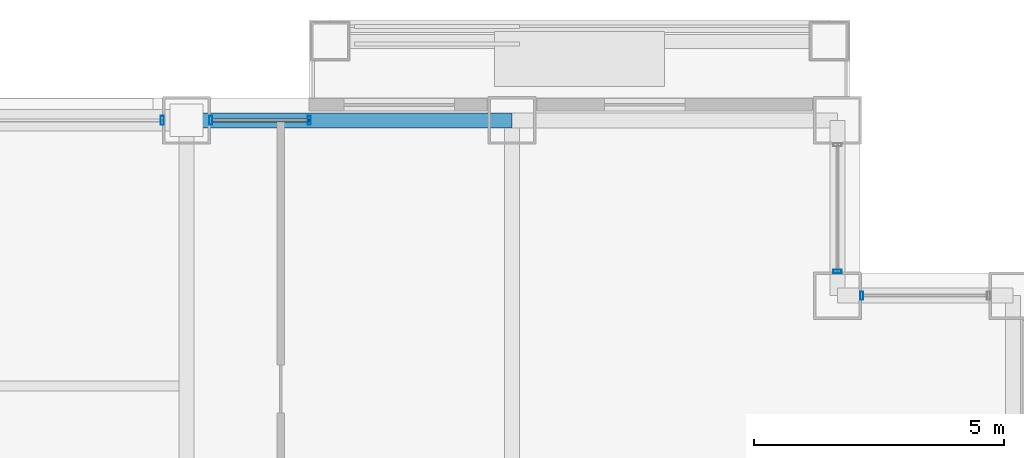
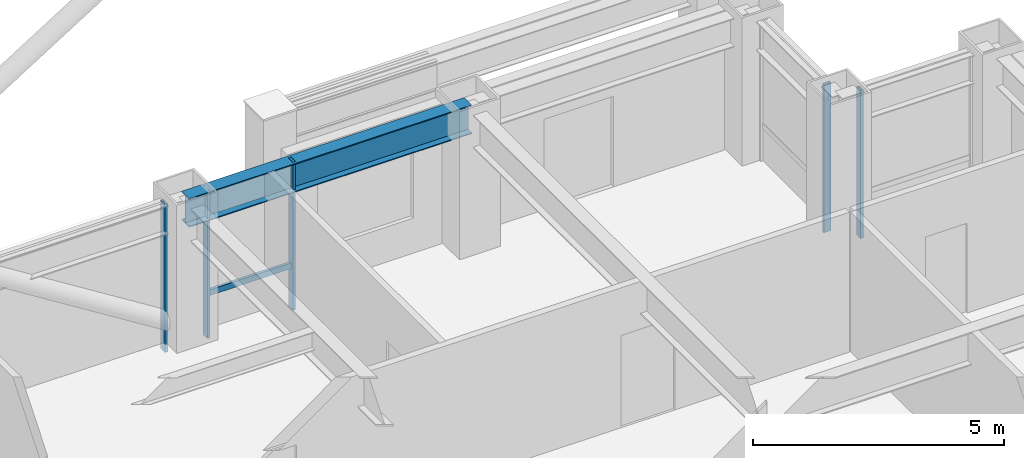
# One storey, part 23 of 34: 6 members, 1 beam, 4 elements without a shape of their own.
"""IFC4 building model written with IfcOpenShell, lengths in metres."""

from ifc_helpers import new_model, si_unit, direction, frame, origin, origin_2d, place, context, subcontext, project, spatial, hollow_rectangle, i_section, extrude, material, layer, layer_set, material_profile, profile_set, type_object, element, aggregate, save


model = new_model("IFC4")

# Units and contexts
model_context = context("Model", 3, precision=1e-05, world=origin(), true_north=direction((0.0, 1.0)))
body_context = subcontext(model_context, "Body", "Model", "MODEL_VIEW")
ifc_project = project(units=[si_unit("LENGTHUNIT", "METRE"), si_unit("AREAUNIT", "SQUARE_METRE"), si_unit("VOLUMEUNIT", "CUBIC_METRE"), si_unit("PLANEANGLEUNIT", "RADIAN"), si_unit("MASSUNIT", "GRAM", prefix="KILO")], contexts=[model_context])

# Site, building, storey
site_placement = place(None, origin())
site = spatial("IfcSite", under=ifc_project, at=site_placement, CompositionType="ELEMENT")
building_placement = place(site_placement, origin())
building = spatial("IfcBuilding", under=site, at=building_placement, Name="Brelmoor Portico Tower", CompositionType="ELEMENT")
storey_placement = place(building_placement, frame((0.0, 0.0, 45.60009765625)))
storey = spatial("IfcBuildingStorey", under=building, at=storey_placement, Name="L11", CompositionType="ELEMENT", Elevation=45.60009765625)

# Beam
ifc_material_1 = material(Name="Steel Q355B", Category="steel")
ifc_material_profile_1 = material_profile(ifc_material_1, i_section(OverallWidth=0.300048828125, OverallDepth=0.699951171875, WebThickness=0.012939453125, FlangeThickness=0.02392578125, at=origin_2d()), Name="HN 700x300x13x24")
ifc_profile_set_1 = profile_set([ifc_material_profile_1], Name="Steel Q355B")
beam_type = type_object("IfcBeamType", Name="BM-SP-700", PredefinedType="SPANDREL", material=ifc_profile_set_1)
beam_placement = place(storey_placement, frame((8.050048828125, 21.550048828125, 3.0498046875), z_axis=(1.0, 0.0, 0.0), x_axis=(0.0, 1.0, 0.0)))
element("IfcBeam", 1, at=beam_placement, inside=storey, type_object=beam_type, Name="L11 Perimeter Spandrel Beam SP-13", PredefinedType="SPANDREL", context=body_context, shape_type="SweptSolid", body=[
    extrude(i_section(OverallWidth=0.300048828125, OverallDepth=0.699951171875, WebThickness=0.012939453125, FlangeThickness=0.02392578125, at=origin_2d()), origin(), (0.0, 0.0, 1.0), 6.5),
])

# Curtain wall, member
ifc_material_2 = material(Name="Anodised Aluminium Alloy 6063-T6", Category="aluminium")
ifc_layer_1 = layer(ifc_material_2, 0.179931640625)
ifc_layer_set_1 = layer_set([ifc_layer_1], Name="Anodised Aluminium Alloy 6063-T6")
curtain_wall_type_1 = type_object("IfcCurtainWallType", Name="CW-NOTCH-CHAMFER", PredefinedType="NOTDEFINED", material=ifc_layer_set_1)
curtain_wall_1_placement = place(storey_placement, origin())
curtain_wall_1 = element("IfcCurtainWall", 2, at=curtain_wall_1_placement, inside=storey, type_object=curtain_wall_type_1, Name="L11 Curtain Wall CWN-L11-NEH", PredefinedType="NOTDEFINED")
ifc_material_profile_2 = material_profile(ifc_material_2, hollow_rectangle(XDim=0.06494140625, YDim=0.1650390625, WallThickness=0.00390625, at=origin_2d()), Name="ALU MULLION 65x165")
ifc_profile_set_2 = profile_set([ifc_material_profile_2], Name="Anodised Aluminium Alloy 6063-T6")
member_type_1 = type_object("IfcMemberType", Name="MB-CW-MULL-165", PredefinedType="MULLION", material=ifc_profile_set_2)
member_1_placement = place(storey_placement, frame((21.534912109375, 18.050048828125, -0.2001953125), z_axis=(0.0, 0.0, 1.0), x_axis=(1.0, 0.0, 0.0)))
member_1 = element("IfcMember", 3, at=member_1_placement, type_object=member_type_1, Name="CWN-L11-NEH Mullion 00", PredefinedType="MULLION", context=body_context, shape_type="SweptSolid", body=[
    extrude(hollow_rectangle(XDim=0.06494140625, YDim=0.1650390625, WallThickness=0.00390625, at=origin_2d()), origin(), (0.0, 0.0, 1.0), 3.60009765625),
])
aggregate(curtain_wall_1, [member_1])

curtain_wall_2_placement = place(storey_placement, origin())
curtain_wall_2 = element("IfcCurtainWall", 4, at=curtain_wall_2_placement, inside=storey, type_object=curtain_wall_type_1, Name="L11 Curtain Wall CWN-L11-NEV", PredefinedType="NOTDEFINED")
member_2_placement = place(storey_placement, frame((21.050048828125, 18.534912109375, -0.2001953125), z_axis=(0.0, 0.0, 1.0), x_axis=(0.0, 1.0, 0.0)))
member_2 = element("IfcMember", 5, at=member_2_placement, type_object=member_type_1, Name="CWN-L11-NEV Mullion 00", PredefinedType="MULLION", context=body_context, shape_type="SweptSolid", body=[
    extrude(hollow_rectangle(XDim=0.06494140625, YDim=0.1650390625, WallThickness=0.00390625, at=origin_2d()), origin(), (0.0, 0.0, 1.0), 3.60009765625),
])
aggregate(curtain_wall_2, [member_2])

ifc_layer_2 = layer(ifc_material_2, 0.179931640625)
ifc_layer_set_2 = layer_set([ifc_layer_2], Name="Anodised Aluminium Alloy 6063-T6")
curtain_wall_type_2 = type_object("IfcCurtainWallType", Name="CW-TOWER-Z1-XB", PredefinedType="NOTDEFINED", material=ifc_layer_set_2)
curtain_wall_3_placement = place(storey_placement, origin())
curtain_wall_3 = element("IfcCurtainWall", 6, at=curtain_wall_3_placement, inside=storey, type_object=curtain_wall_type_2, Name="L11 Curtain Wall CW-L11-2L-3", PredefinedType="NOTDEFINED")
ifc_material_profile_3 = material_profile(ifc_material_2, hollow_rectangle(XDim=0.06494140625, YDim=0.179931640625, WallThickness=0.00390625, at=origin_2d()), Name="ALU MULLION 65x180")
ifc_profile_set_3 = profile_set([ifc_material_profile_3], Name="Anodised Aluminium Alloy 6063-T6")
member_type_2 = type_object("IfcMemberType", Name="MB-CW-MULL-180", PredefinedType="MULLION", material=ifc_profile_set_3)
member_3_placement = place(storey_placement, frame((7.56494140625, 21.550048828125, -0.2001953125), z_axis=(0.0, 0.0, 1.0), x_axis=(1.0, 0.0, 0.0)))
member_3 = element("IfcMember", 7, at=member_3_placement, type_object=member_type_2, Name="CW-L11-2L-3 Mullion 01", PredefinedType="MULLION", context=body_context, shape_type="SweptSolid", body=[
    extrude(hollow_rectangle(XDim=0.06494140625, YDim=0.179931640625, WallThickness=0.00390625, at=origin_2d()), origin(), (0.0, 0.0, 1.0), 3.60009765625),
])
aggregate(curtain_wall_3, [member_3])

# Curtain wall, members
ifc_layer_3 = layer(ifc_material_2, 0.179931640625)
ifc_layer_set_3 = layer_set([ifc_layer_3], Name="Anodised Aluminium Alloy 6063-T6")
curtain_wall_type_3 = type_object("IfcCurtainWallType", Name="CW-TOWER-Z1", PredefinedType="NOTDEFINED", material=ifc_layer_set_3)
curtain_wall_4_placement = place(storey_placement, origin())
curtain_wall_4 = element("IfcCurtainWall", 8, at=curtain_wall_4_placement, inside=storey, type_object=curtain_wall_type_3, Name="L11 Curtain Wall CW-L11-2L-4", PredefinedType="NOTDEFINED")
member_4_placement = place(storey_placement, frame((8.534912109375, 21.550048828125, -0.2001953125), z_axis=(0.0, 0.0, 1.0), x_axis=(1.0, 0.0, 0.0)))
member_4 = element("IfcMember", 9, at=member_4_placement, type_object=member_type_2, Name="CW-L11-2L-4 Mullion 00", PredefinedType="MULLION", context=body_context, shape_type="SweptSolid", body=[
    extrude(hollow_rectangle(XDim=0.06494140625, YDim=0.179931640625, WallThickness=0.00390625, at=origin_2d()), origin(), (0.0, 0.0, 1.0), 3.60009765625),
])
member_5_placement = place(storey_placement, frame((10.5, 21.550048828125, -0.2001953125), z_axis=(0.0, 0.0, 1.0), x_axis=(1.0, 0.0, 0.0)))
member_5 = element("IfcMember", 10, at=member_5_placement, type_object=member_type_2, Name="CW-L11-2L-4 Mullion 01", PredefinedType="MULLION", context=body_context, shape_type="SweptSolid", body=[
    extrude(hollow_rectangle(XDim=0.06494140625, YDim=0.179931640625, WallThickness=0.00390625, at=origin_2d()), origin(), (0.0, 0.0, 1.0), 3.60009765625),
])
ifc_material_profile_4 = material_profile(ifc_material_2, hollow_rectangle(XDim=0.06494140625, YDim=0.139892578125, WallThickness=0.00390625, at=origin_2d()), Name="ALU TRANSOM 65x140")
ifc_profile_set_4 = profile_set([ifc_material_profile_4], Name="Anodised Aluminium Alloy 6063-T6")
member_type_3 = type_object("IfcMemberType", Name="MB-CW-TRAN-140", PredefinedType="USERDEFINED", material=ifc_profile_set_4)
member_6_placement = place(storey_placement, frame((8.534912109375, 21.550048828125, 0.849853515625), z_axis=(1.0, 0.0, 0.0), x_axis=(0.0, 1.0, 0.0)))
member_6 = element("IfcMember", 11, at=member_6_placement, type_object=member_type_3, Name="CW-L11-2L-4 Transom 1-00", ObjectType="TRANSOM", PredefinedType="USERDEFINED", context=body_context, shape_type="SweptSolid", body=[
    extrude(hollow_rectangle(XDim=0.06494140625, YDim=0.139892578125, WallThickness=0.00390625, at=origin_2d()), origin(), (0.0, 0.0, 1.0), 1.965087890625),
])
aggregate(curtain_wall_4, [member_4, member_5, member_6])

save(model, "model.ifc")
